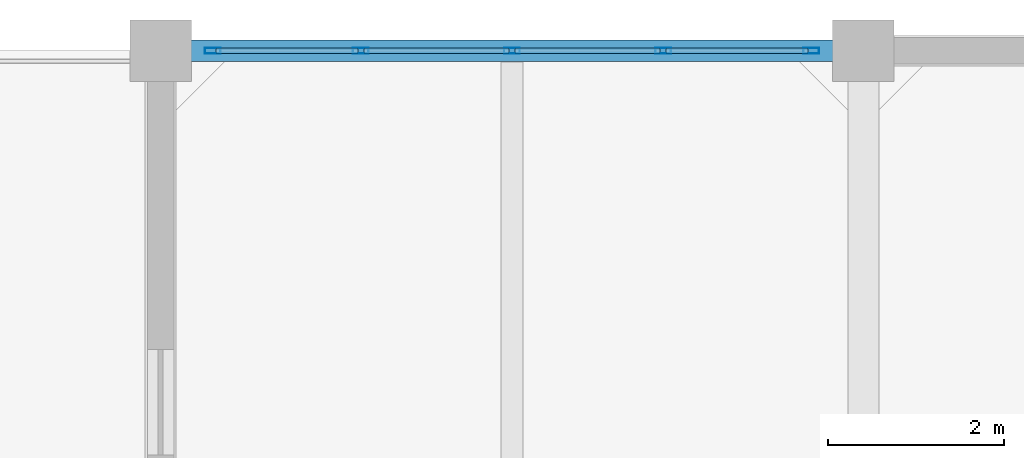
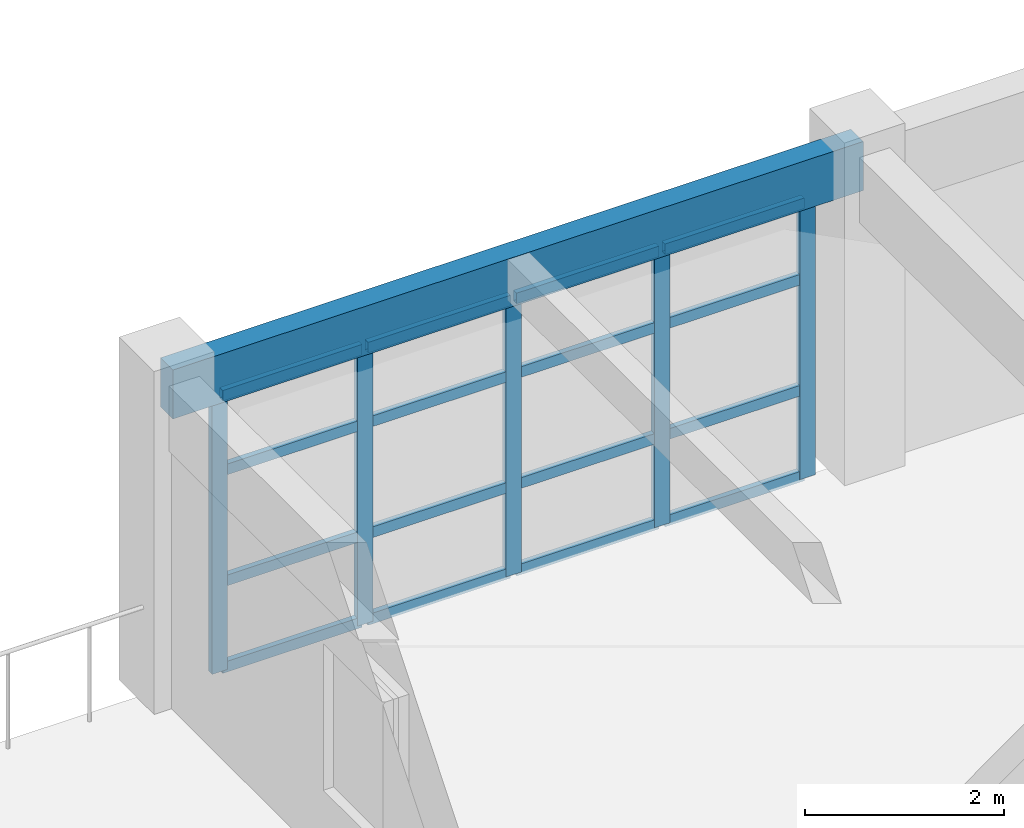
# One storey, part 13 of 25: 21 members, 1 beam, 1 element without a shape of its own.
"""IFC4 building model written with IfcOpenShell, lengths in metres."""

from ifc_helpers import new_model, si_unit, direction, frame, origin, origin_2d, place, context, subcontext, project, spatial, rectangle, hollow_rectangle, extrude, material, layer, layer_set, material_profile, profile_set, type_object, element, aggregate, save


model = new_model("IFC4")

# Units and contexts
model_context = context("Model", 3, precision=1e-05, world=origin(), true_north=direction((0.0, 1.0)))
body_context = subcontext(model_context, "Body", "Model", "MODEL_VIEW")
ifc_project = project(units=[si_unit("LENGTHUNIT", "METRE"), si_unit("AREAUNIT", "SQUARE_METRE"), si_unit("VOLUMEUNIT", "CUBIC_METRE"), si_unit("PLANEANGLEUNIT", "RADIAN"), si_unit("MASSUNIT", "GRAM", prefix="KILO")], contexts=[model_context])

# Site, building, storey
site_placement = place(None, origin())
site = spatial("IfcSite", under=ifc_project, at=site_placement, CompositionType="ELEMENT")
building_placement = place(site_placement, origin())
building = spatial("IfcBuilding", under=site, at=building_placement, Name="Canggui Botanical Conservatory", CompositionType="ELEMENT")
storey_placement = place(building_placement, frame((0.0, 0.0, 40.199951171875)))
storey = spatial("IfcBuildingStorey", under=building, at=storey_placement, Name="L10", CompositionType="ELEMENT", Elevation=40.199951171875)

# Beam
ifc_material_1 = material(Name="Concrete C35", Category="concrete")
ifc_material_profile_1 = material_profile(ifc_material_1, rectangle(XDim=0.25, YDim=0.60009765625, at=origin_2d()), Name="RB 250x600")
ifc_profile_set_1 = profile_set([ifc_material_profile_1], Name="Concrete C35")
beam_type = type_object("IfcBeamType", Name="BM-SPD02", PredefinedType="SPANDREL", material=ifc_profile_set_1)
beam_placement = place(storey_placement, frame((146.0, 74.0, 3.66015625), z_axis=(1.0, 0.0, 0.0), x_axis=(0.0, 1.0, 0.0)))
element("IfcBeam", 1, at=beam_placement, inside=storey, type_object=beam_type, Name="Frame Girder L10 Y74-1", PredefinedType="SPANDREL", context=body_context, shape_type="SweptSolid", body=[
    extrude(rectangle(XDim=0.25, YDim=0.60009765625, at=origin_2d()), origin(), (0.0, 0.0, 1.0), 8.0),
])

# Curtain wall, members
ifc_material_2 = material(Name="Thermally Broken Aluminium", Category="aluminium")
ifc_layer = layer(ifc_material_2, 0.179931640625, Name="Thermally Broken Aluminium", Category="aluminium")
ifc_layer_set = layer_set([ifc_layer], Name="Thermally Broken Aluminium")
curtain_wall_type = type_object("IfcCurtainWallType", Name="CW-UNIT-A", PredefinedType="USERDEFINED", material=ifc_layer_set)
curtain_wall_placement = place(storey_placement, origin())
curtain_wall = element("IfcCurtainWall", 2, at=curtain_wall_placement, inside=storey, type_object=curtain_wall_type, Name="Facade Curtain Wall CW-TWR-L10-10", ObjectType="UNITISED CURTAIN WALL", PredefinedType="USERDEFINED")
ifc_material_profile_2 = material_profile(ifc_material_2, hollow_rectangle(XDim=0.070068359375, YDim=0.179931640625, WallThickness=0.00390625, at=origin_2d()), Name="CWM 70x180x4")
ifc_profile_set_2 = profile_set([ifc_material_profile_2], Name="Thermally Broken Aluminium")
member_type_1 = type_object("IfcMemberType", Name="CWM-01", PredefinedType="MULLION", material=ifc_profile_set_2)
member_1_placement = place(storey_placement, frame((146.594970703125, 74.0, 0.0), z_axis=(0.0, 0.0, 1.0), x_axis=(0.0, 1.0, 0.0)))
member_1 = element("IfcMember", 3, at=member_1_placement, type_object=member_type_1, Name="CW-01 mullion 1", PredefinedType="MULLION", context=body_context, shape_type="SweptSolid", body=[
    extrude(hollow_rectangle(XDim=0.070068359375, YDim=0.179931640625, WallThickness=0.00390625, at=origin_2d()), origin(), (0.0, 0.0, 1.0), 3.400146484375),
])
member_2_placement = place(storey_placement, frame((148.280029296875, 74.0, 0.0), z_axis=(0.0, 0.0, 1.0), x_axis=(0.0, 1.0, 0.0)))
member_2 = element("IfcMember", 4, at=member_2_placement, type_object=member_type_1, Name="CW-01 mullion 2", PredefinedType="MULLION", context=body_context, shape_type="SweptSolid", body=[
    extrude(hollow_rectangle(XDim=0.070068359375, YDim=0.179931640625, WallThickness=0.00390625, at=origin_2d()), origin(), (0.0, 0.0, 1.0), 3.400146484375),
])
member_3_placement = place(storey_placement, frame((150.0, 74.0, 0.0), z_axis=(0.0, 0.0, 1.0), x_axis=(0.0, 1.0, 0.0)))
member_3 = element("IfcMember", 5, at=member_3_placement, type_object=member_type_1, Name="CW-01 mullion 3", PredefinedType="MULLION", context=body_context, shape_type="SweptSolid", body=[
    extrude(hollow_rectangle(XDim=0.070068359375, YDim=0.179931640625, WallThickness=0.00390625, at=origin_2d()), origin(), (0.0, 0.0, 1.0), 3.400146484375),
])
member_4_placement = place(storey_placement, frame((151.719970703125, 74.0, 0.0), z_axis=(0.0, 0.0, 1.0), x_axis=(0.0, 1.0, 0.0)))
member_4 = element("IfcMember", 6, at=member_4_placement, type_object=member_type_1, Name="CW-01 mullion 4", PredefinedType="MULLION", context=body_context, shape_type="SweptSolid", body=[
    extrude(hollow_rectangle(XDim=0.070068359375, YDim=0.179931640625, WallThickness=0.00390625, at=origin_2d()), origin(), (0.0, 0.0, 1.0), 3.400146484375),
])
member_5_placement = place(storey_placement, frame((153.405029296875, 74.0, 0.0), z_axis=(0.0, 0.0, 1.0), x_axis=(0.0, 1.0, 0.0)))
member_5 = element("IfcMember", 7, at=member_5_placement, type_object=member_type_1, Name="CW-01 mullion 5", PredefinedType="MULLION", context=body_context, shape_type="SweptSolid", body=[
    extrude(hollow_rectangle(XDim=0.070068359375, YDim=0.179931640625, WallThickness=0.00390625, at=origin_2d()), origin(), (0.0, 0.0, 1.0), 3.400146484375),
])
ifc_material_profile_3 = material_profile(ifc_material_2, hollow_rectangle(XDim=0.06494140625, YDim=0.1298828125, WallThickness=0.00341796875, at=origin_2d()), Name="CWT 65x130x3.5")
ifc_profile_set_3 = profile_set([ifc_material_profile_3], Name="Thermally Broken Aluminium")
member_type_2 = type_object("IfcMemberType", Name="CWT-01", PredefinedType="USERDEFINED", material=ifc_profile_set_3)
member_6_placement = place(storey_placement, frame((146.6298828125, 74.0, 0.032470703125), z_axis=(1.0, 0.0, 0.0), x_axis=(0.0, 1.0, 0.0)))
member_6 = element("IfcMember", 8, at=member_6_placement, type_object=member_type_2, Name="CW-01 transom 1.1", ObjectType="TRANSOM", PredefinedType="USERDEFINED", context=body_context, shape_type="SweptSolid", body=[
    extrude(hollow_rectangle(XDim=0.06494140625, YDim=0.1298828125, WallThickness=0.00341796875, at=origin_2d()), origin(), (0.0, 0.0, 1.0), 1.615234375),
])
member_7_placement = place(storey_placement, frame((146.6298828125, 74.0, 1.088134765625), z_axis=(1.0, 0.0, 0.0), x_axis=(0.0, 1.0, 0.0)))
member_7 = element("IfcMember", 9, at=member_7_placement, type_object=member_type_2, Name="CW-01 transom 1.2", ObjectType="TRANSOM", PredefinedType="USERDEFINED", context=body_context, shape_type="SweptSolid", body=[
    extrude(hollow_rectangle(XDim=0.06494140625, YDim=0.1298828125, WallThickness=0.00341796875, at=origin_2d()), origin(), (0.0, 0.0, 1.0), 1.615234375),
])
member_8_placement = place(storey_placement, frame((146.6298828125, 74.0, 2.447998046875), z_axis=(1.0, 0.0, 0.0), x_axis=(0.0, 1.0, 0.0)))
member_8 = element("IfcMember", 10, at=member_8_placement, type_object=member_type_2, Name="CW-01 transom 1.3", ObjectType="TRANSOM", PredefinedType="USERDEFINED", context=body_context, shape_type="SweptSolid", body=[
    extrude(hollow_rectangle(XDim=0.06494140625, YDim=0.1298828125, WallThickness=0.00341796875, at=origin_2d()), origin(), (0.0, 0.0, 1.0), 1.615234375),
])
member_9_placement = place(storey_placement, frame((146.6298828125, 74.0, 3.367431640625), z_axis=(1.0, 0.0, 0.0), x_axis=(0.0, 1.0, 0.0)))
member_9 = element("IfcMember", 11, at=member_9_placement, type_object=member_type_2, Name="CW-01 transom 1.4", ObjectType="TRANSOM", PredefinedType="USERDEFINED", context=body_context, shape_type="SweptSolid", body=[
    extrude(hollow_rectangle(XDim=0.06494140625, YDim=0.1298828125, WallThickness=0.00341796875, at=origin_2d()), origin(), (0.0, 0.0, 1.0), 1.615234375),
])
member_10_placement = place(storey_placement, frame((148.31494140625, 74.0, 0.032470703125), z_axis=(1.0, 0.0, 0.0), x_axis=(0.0, 1.0, 0.0)))
member_10 = element("IfcMember", 12, at=member_10_placement, type_object=member_type_2, Name="CW-01 transom 2.1", ObjectType="TRANSOM", PredefinedType="USERDEFINED", context=body_context, shape_type="SweptSolid", body=[
    extrude(hollow_rectangle(XDim=0.06494140625, YDim=0.1298828125, WallThickness=0.00341796875, at=origin_2d()), origin(), (0.0, 0.0, 1.0), 1.650146484375),
])
member_11_placement = place(storey_placement, frame((148.31494140625, 74.0, 1.088134765625), z_axis=(1.0, 0.0, 0.0), x_axis=(0.0, 1.0, 0.0)))
member_11 = element("IfcMember", 13, at=member_11_placement, type_object=member_type_2, Name="CW-01 transom 2.2", ObjectType="TRANSOM", PredefinedType="USERDEFINED", context=body_context, shape_type="SweptSolid", body=[
    extrude(hollow_rectangle(XDim=0.06494140625, YDim=0.1298828125, WallThickness=0.00341796875, at=origin_2d()), origin(), (0.0, 0.0, 1.0), 1.650146484375),
])
member_12_placement = place(storey_placement, frame((148.31494140625, 74.0, 2.447998046875), z_axis=(1.0, 0.0, 0.0), x_axis=(0.0, 1.0, 0.0)))
member_12 = element("IfcMember", 14, at=member_12_placement, type_object=member_type_2, Name="CW-01 transom 2.3", ObjectType="TRANSOM", PredefinedType="USERDEFINED", context=body_context, shape_type="SweptSolid", body=[
    extrude(hollow_rectangle(XDim=0.06494140625, YDim=0.1298828125, WallThickness=0.00341796875, at=origin_2d()), origin(), (0.0, 0.0, 1.0), 1.650146484375),
])
member_13_placement = place(storey_placement, frame((148.31494140625, 74.0, 3.367431640625), z_axis=(1.0, 0.0, 0.0), x_axis=(0.0, 1.0, 0.0)))
member_13 = element("IfcMember", 15, at=member_13_placement, type_object=member_type_2, Name="CW-01 transom 2.4", ObjectType="TRANSOM", PredefinedType="USERDEFINED", context=body_context, shape_type="SweptSolid", body=[
    extrude(hollow_rectangle(XDim=0.06494140625, YDim=0.1298828125, WallThickness=0.00341796875, at=origin_2d()), origin(), (0.0, 0.0, 1.0), 1.650146484375),
])
member_14_placement = place(storey_placement, frame((150.034912109375, 74.0, 0.032470703125), z_axis=(1.0, 0.0, 0.0), x_axis=(0.0, 1.0, 0.0)))
member_14 = element("IfcMember", 16, at=member_14_placement, type_object=member_type_2, Name="CW-01 transom 3.1", ObjectType="TRANSOM", PredefinedType="USERDEFINED", context=body_context, shape_type="SweptSolid", body=[
    extrude(hollow_rectangle(XDim=0.06494140625, YDim=0.1298828125, WallThickness=0.00341796875, at=origin_2d()), origin(), (0.0, 0.0, 1.0), 1.650146484375),
])
member_15_placement = place(storey_placement, frame((150.034912109375, 74.0, 1.088134765625), z_axis=(1.0, 0.0, 0.0), x_axis=(0.0, 1.0, 0.0)))
member_15 = element("IfcMember", 17, at=member_15_placement, type_object=member_type_2, Name="CW-01 transom 3.2", ObjectType="TRANSOM", PredefinedType="USERDEFINED", context=body_context, shape_type="SweptSolid", body=[
    extrude(hollow_rectangle(XDim=0.06494140625, YDim=0.1298828125, WallThickness=0.00341796875, at=origin_2d()), origin(), (0.0, 0.0, 1.0), 1.650146484375),
])
member_16_placement = place(storey_placement, frame((150.034912109375, 74.0, 2.447998046875), z_axis=(1.0, 0.0, 0.0), x_axis=(0.0, 1.0, 0.0)))
member_16 = element("IfcMember", 18, at=member_16_placement, type_object=member_type_2, Name="CW-01 transom 3.3", ObjectType="TRANSOM", PredefinedType="USERDEFINED", context=body_context, shape_type="SweptSolid", body=[
    extrude(hollow_rectangle(XDim=0.06494140625, YDim=0.1298828125, WallThickness=0.00341796875, at=origin_2d()), origin(), (0.0, 0.0, 1.0), 1.650146484375),
])
member_17_placement = place(storey_placement, frame((150.034912109375, 74.0, 3.367431640625), z_axis=(1.0, 0.0, 0.0), x_axis=(0.0, 1.0, 0.0)))
member_17 = element("IfcMember", 19, at=member_17_placement, type_object=member_type_2, Name="CW-01 transom 3.4", ObjectType="TRANSOM", PredefinedType="USERDEFINED", context=body_context, shape_type="SweptSolid", body=[
    extrude(hollow_rectangle(XDim=0.06494140625, YDim=0.1298828125, WallThickness=0.00341796875, at=origin_2d()), origin(), (0.0, 0.0, 1.0), 1.650146484375),
])
member_18_placement = place(storey_placement, frame((151.7548828125, 74.0, 0.032470703125), z_axis=(1.0, 0.0, 0.0), x_axis=(0.0, 1.0, 0.0)))
member_18 = element("IfcMember", 20, at=member_18_placement, type_object=member_type_2, Name="CW-01 transom 4.1", ObjectType="TRANSOM", PredefinedType="USERDEFINED", context=body_context, shape_type="SweptSolid", body=[
    extrude(hollow_rectangle(XDim=0.06494140625, YDim=0.1298828125, WallThickness=0.00341796875, at=origin_2d()), origin(), (0.0, 0.0, 1.0), 1.615234375),
])
member_19_placement = place(storey_placement, frame((151.7548828125, 74.0, 1.088134765625), z_axis=(1.0, 0.0, 0.0), x_axis=(0.0, 1.0, 0.0)))
member_19 = element("IfcMember", 21, at=member_19_placement, type_object=member_type_2, Name="CW-01 transom 4.2", ObjectType="TRANSOM", PredefinedType="USERDEFINED", context=body_context, shape_type="SweptSolid", body=[
    extrude(hollow_rectangle(XDim=0.06494140625, YDim=0.1298828125, WallThickness=0.00341796875, at=origin_2d()), origin(), (0.0, 0.0, 1.0), 1.615234375),
])
member_20_placement = place(storey_placement, frame((151.7548828125, 74.0, 2.447998046875), z_axis=(1.0, 0.0, 0.0), x_axis=(0.0, 1.0, 0.0)))
member_20 = element("IfcMember", 22, at=member_20_placement, type_object=member_type_2, Name="CW-01 transom 4.3", ObjectType="TRANSOM", PredefinedType="USERDEFINED", context=body_context, shape_type="SweptSolid", body=[
    extrude(hollow_rectangle(XDim=0.06494140625, YDim=0.1298828125, WallThickness=0.00341796875, at=origin_2d()), origin(), (0.0, 0.0, 1.0), 1.615234375),
])
member_21_placement = place(storey_placement, frame((151.7548828125, 74.0, 3.367431640625), z_axis=(1.0, 0.0, 0.0), x_axis=(0.0, 1.0, 0.0)))
member_21 = element("IfcMember", 23, at=member_21_placement, type_object=member_type_2, Name="CW-01 transom 4.4", ObjectType="TRANSOM", PredefinedType="USERDEFINED", context=body_context, shape_type="SweptSolid", body=[
    extrude(hollow_rectangle(XDim=0.06494140625, YDim=0.1298828125, WallThickness=0.00341796875, at=origin_2d()), origin(), (0.0, 0.0, 1.0), 1.615234375),
])
aggregate(curtain_wall, [member_1, member_2, member_3, member_4, member_5, member_6, member_7, member_8, member_9, member_10, member_11, member_12, member_13, member_14, member_15, member_16, member_17, member_18, member_19, member_20, member_21])

save(model, "model.ifc")
